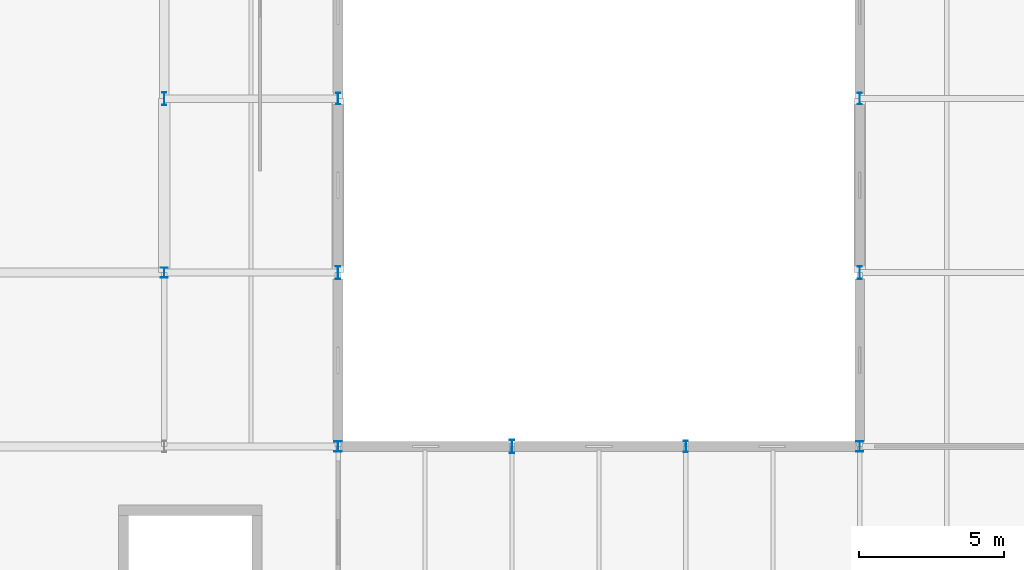
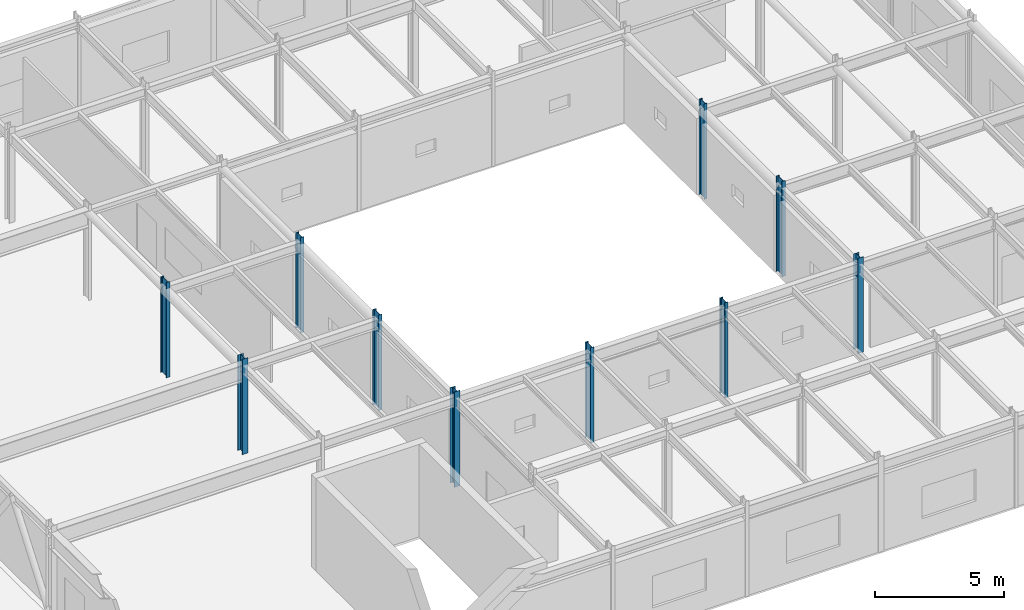
# One storey, part 15 of 84: 10 columns.
"""IFC4 building model written with IfcOpenShell, lengths in metres."""

from ifc_helpers import new_model, si_unit, direction, frame, origin, origin_2d, place, context, subcontext, project, spatial, i_section, extrude, material, material_profile, profile_set, type_object, element, save


model = new_model("IFC4")

# Units and contexts
model_context = context("Model", 3, precision=1e-05, world=origin(), true_north=direction((0.0, 1.0)))
body_context = subcontext(model_context, "Body", "Model", "MODEL_VIEW")
ifc_project = project(units=[si_unit("LENGTHUNIT", "METRE"), si_unit("AREAUNIT", "SQUARE_METRE"), si_unit("VOLUMEUNIT", "CUBIC_METRE"), si_unit("PLANEANGLEUNIT", "RADIAN"), si_unit("MASSUNIT", "GRAM", prefix="KILO")], contexts=[model_context])

# Site, building, storey
site_placement = place(None, origin())
site = spatial("IfcSite", under=ifc_project, at=site_placement, CompositionType="ELEMENT")
building_placement = place(site_placement, origin())
building = spatial("IfcBuilding", under=site, at=building_placement, Name="Varnakota Square Police Headquarters", CompositionType="ELEMENT")
storey_placement = place(building_placement, frame((0.0, 0.0, 13.5)))
storey = spatial("IfcBuildingStorey", under=building, at=storey_placement, Name="L03", CompositionType="ELEMENT", Elevation=13.5)

# Columns
ifc_material = material(Name="Steel IS 2062 Grade 350", Category="steel")
ifc_material_profile_1 = material_profile(ifc_material, i_section(OverallWidth=0.25, OverallDepth=0.35009765625, WebThickness=0.010009765625, FlangeThickness=0.01171875, FilletRadius=0.011962890625, at=origin_2d()), Name="ISHB 350")
ifc_profile_set_1 = profile_set([ifc_material_profile_1], Name="Steel IS 2062 Grade 350")
column_type_1 = type_object("IfcColumnType", Name="COL-ISHB350", PredefinedType="COLUMN", material=ifc_profile_set_1)
for number, where, z_axis, x_axis, name in (
    (1, (108.0, 87.0, 0.0), (0.0, 0.0, 1.0), (1.0, 0.0, 0.0), "Column X1080-Y0870 L03"),
    (2, (114.0, 81.0, 0.0), (0.0, 0.0, 1.0), (1.0, 0.0, 0.0), "Column X1140-Y0810 L03"),
    (3, (132.0, 81.0, 0.0), (0.0, 0.0, 1.0), (1.0, 0.0, 0.0), "Column X1320-Y0810 L03"),
):
    element("IfcColumn", number, at=place(storey_placement, frame(where, z_axis=z_axis, x_axis=x_axis)), inside=storey, type_object=column_type_1, Name=name, PredefinedType="COLUMN", context=body_context, shape_type="SweptSolid", body=[
        extrude(i_section(OverallWidth=0.25, OverallDepth=0.35009765625, WebThickness=0.010009765625, FlangeThickness=0.01171875, FilletRadius=0.011962890625, at=origin_2d()), origin(), (0.0, 0.0, 1.0), 4.5),
    ])
ifc_material_profile_2 = material_profile(ifc_material, i_section(OverallWidth=0.139892578125, OverallDepth=0.39990234375, WebThickness=0.0087890625, FlangeThickness=0.01611328125, FilletRadius=0.013916015625, at=origin_2d()), Name="ISMB 400")
ifc_profile_set_2 = profile_set([ifc_material_profile_2], Name="Steel IS 2062 Grade 350")
column_type_2 = type_object("IfcColumnType", Name="COL-ISMB400", PredefinedType="COLUMN", material=ifc_profile_set_2)
for number, where, z_axis, x_axis, name in (
    (4, (114.0, 93.0, 0.0), (0.0, 0.0, 1.0), (1.0, 0.0, 0.0), "Column X1140-Y0930 L03"),
    (5, (126.0, 81.0, 0.0), (0.0, 0.0, 1.0), (1.0, 0.0, 0.0), "Column X1260-Y0810 L03"),
    (6, (132.0, 93.0, 0.0), (0.0, 0.0, 1.0), (1.0, 0.0, 0.0), "Column X1320-Y0930 L03"),
):
    element("IfcColumn", number, at=place(storey_placement, frame(where, z_axis=z_axis, x_axis=x_axis)), inside=storey, type_object=column_type_2, Name=name, PredefinedType="COLUMN", context=body_context, shape_type="SweptSolid", body=[
        extrude(i_section(OverallWidth=0.139892578125, OverallDepth=0.39990234375, WebThickness=0.0087890625, FlangeThickness=0.01611328125, FilletRadius=0.013916015625, at=origin_2d()), origin(), (0.0, 0.0, 1.0), 4.5),
    ])
ifc_material_profile_3 = material_profile(ifc_material, i_section(OverallWidth=0.14990234375, OverallDepth=0.449951171875, WebThickness=0.009521484375, FlangeThickness=0.017333984375, FilletRadius=0.014892578125, at=origin_2d()), Name="ISMB 450")
ifc_profile_set_3 = profile_set([ifc_material_profile_3], Name="Steel IS 2062 Grade 350")
column_type_3 = type_object("IfcColumnType", Name="COL-ISMB450", PredefinedType="COLUMN", material=ifc_profile_set_3)
for number, where, z_axis, x_axis, name in (
    (7, (108.0, 93.0, 0.0), (0.0, 0.0, 1.0), (1.0, 0.0, 0.0), "Column X1080-Y0930 L03"),
    (8, (114.0, 87.0, 0.0), (0.0, 0.0, 1.0), (1.0, 0.0, 0.0), "Column X1140-Y0870 L03"),
    (9, (120.0, 81.0, 0.0), (0.0, 0.0, 1.0), (1.0, 0.0, 0.0), "Column X1200-Y0810 L03"),
    (10, (132.0, 87.0, 0.0), (0.0, 0.0, 1.0), (1.0, 0.0, 0.0), "Column X1320-Y0870 L03"),
):
    element("IfcColumn", number, at=place(storey_placement, frame(where, z_axis=z_axis, x_axis=x_axis)), inside=storey, type_object=column_type_3, Name=name, PredefinedType="COLUMN", context=body_context, shape_type="SweptSolid", body=[
        extrude(i_section(OverallWidth=0.14990234375, OverallDepth=0.449951171875, WebThickness=0.009521484375, FlangeThickness=0.017333984375, FilletRadius=0.014892578125, at=origin_2d()), origin(), (0.0, 0.0, 1.0), 4.5),
    ])

save(model, "model.ifc")
